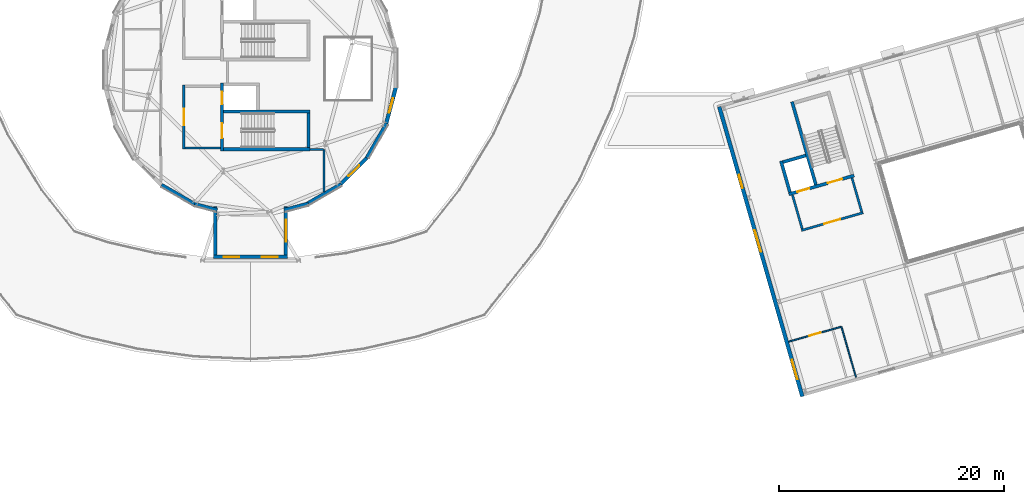
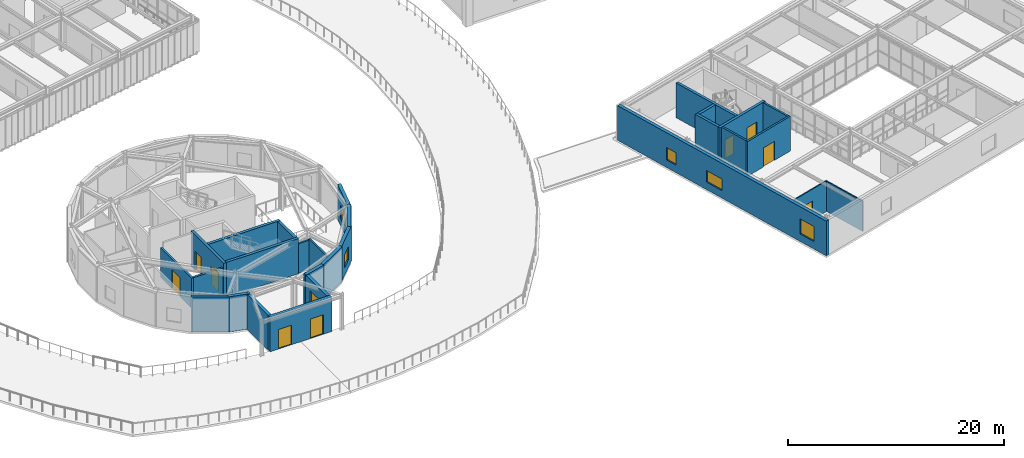
# One storey, part 33 of 59: 28 walls, 9 doors, 6 windows, 15 openings.
"""IFC4 building model written with IfcOpenShell, lengths in metres."""

from ifc_helpers import new_model, si_unit, direction, frame, frame_2d, origin, place, context, subcontext, project, spatial, rectangle, extrude, material, layer, layer_set, type_object, element, fill, save


model = new_model("IFC4")

# Units and contexts
model_context = context("Model", 3, precision=1e-05, world=origin(), true_north=direction((0.0, 1.0)))
body_context = subcontext(model_context, "Body", "Model", "MODEL_VIEW")
ifc_project = project(units=[si_unit("LENGTHUNIT", "METRE"), si_unit("AREAUNIT", "SQUARE_METRE"), si_unit("VOLUMEUNIT", "CUBIC_METRE"), si_unit("PLANEANGLEUNIT", "RADIAN"), si_unit("MASSUNIT", "GRAM", prefix="KILO")], contexts=[model_context])

# Site, building, storey
site_placement = place(None, origin())
site = spatial("IfcSite", under=ifc_project, at=site_placement, CompositionType="ELEMENT")
building_placement = place(site_placement, origin())
building = spatial("IfcBuilding", under=site, at=building_placement, Name="Varnklinge Art Gallery", CompositionType="ELEMENT")
storey_placement = place(building_placement, frame((0.0, 0.0, 9.52001953125)))
storey = spatial("IfcBuildingStorey", under=building, at=storey_placement, Name="L02", CompositionType="ELEMENT", Elevation=9.52001953125)

# Wall
ifc_material_1 = material(Name="Precast concrete C40/50", Category="concrete")
ifc_layer_1 = layer(ifc_material_1, 0.320068359375)
ifc_layer_set_1 = layer_set([ifc_layer_1], Name="Precast concrete C40/50")
wall_type_1 = type_object("IfcWallType", Name="EW-32", PredefinedType="SOLIDWALL", material=ifc_layer_set_1)
wall_1_placement = place(storey_placement, frame((72.360107421875, 21.944580078125, 0.0), z_axis=(0.0, 0.0, 1.0), x_axis=(0.0, 1.0, 0.0)))
element("IfcWall", 1, at=wall_1_placement, inside=storey, type_object=wall_type_1, Name="L02 Gallery Link Wall EW-LNK-V4S-L02-W", PredefinedType="SOLIDWALL", context=body_context, shape_type="SweptSolid", body=[
    extrude(rectangle(XDim=4.31103515625, YDim=0.320068359375, at=frame_2d((2.155517578125, 0.0))), origin(), (0.0, 0.0, 1.0), 3.909912109375),
])

# Wall, opening, window
wall_2_placement = place(storey_placement, frame((78.639892578125, 26.255615234375, 0.0), z_axis=(0.0, 0.0, 1.0), x_axis=(0.0, -1.0, 0.0)))
wall_2 = element("IfcWall", 2, at=wall_2_placement, inside=storey, type_object=wall_type_1, Name="L02 Gallery Link Wall EW-LNK-V4S-L02-E", PredefinedType="SOLIDWALL", context=body_context, shape_type="SweptSolid", body=[
    extrude(rectangle(XDim=4.31103515625, YDim=0.320068359375, at=frame_2d((2.155517578125, 0.0))), origin(), (0.0, 0.0, 1.0), 3.909912109375),
])
opening_1_placement = place(wall_2_placement, frame((1.180419921875, 0.0, 1.1201171875)))
opening_1 = element("IfcOpeningElement", 3, at=opening_1_placement, cuts=wall_2, Name="Opening WN-05", PredefinedType="OPENING", context=body_context, shape_type="SweptSolid", body=[
    extrude(rectangle(XDim=1.949951171875, YDim=1.5, at=frame_2d((0.97509765625, 0.75))), frame((0.0, 0.170166015625, 0.0), z_axis=(0.0, -1.0, 0.0), x_axis=(1.0, 0.0, 0.0)), (0.0, 0.0, 1.0), 0.340087890625),
])
ifc_material_2 = material(Name="Insulated Low-E Triple Glazing", Category="glass")
window_type_1 = type_object("IfcWindowType", Name="WN-05", PartitioningType="SINGLE_PANEL", PredefinedType="WINDOW", material=ifc_material_2)
window_1_placement = place(opening_1_placement, origin())
window_1 = element("IfcWindow", 4, at=window_1_placement, inside=storey, type_object=window_type_1, Name="L02 Window WIN-L02-222", OverallHeight=1.5, OverallWidth=1.949951171875, PartitioningType="SINGLE_PANEL", PredefinedType="WINDOW", context=body_context, shape_type="SweptSolid", body=[
    extrude(rectangle(XDim=1.949951171875, YDim=1.5, at=frame_2d((0.97509765625, 0.75))), frame((0.0, 0.030029296875, 0.0), z_axis=(0.0, -1.0, 0.0), x_axis=(1.0, 0.0, 0.0)), (0.0, 0.0, 1.0), 0.06005859375),
])
fill(opening_1, window_1)

# Wall, openings, doors
wall_3_placement = place(storey_placement, frame((78.800048828125, 21.7646484375, 0.0), z_axis=(0.0, 0.0, 1.0), x_axis=(-1.0, 0.0, 0.0)))
wall_3 = element("IfcWall", 5, at=wall_3_placement, inside=storey, type_object=wall_type_1, Name="EW-LNK-V4S-L02-END", PredefinedType="SOLIDWALL", context=body_context, shape_type="SweptSolid", body=[
    extrude(rectangle(XDim=6.60009765625, YDim=0.320068359375, at=frame_2d((3.300048828125, 0.0))), origin(), (0.0, 0.0, 1.0), 3.909912109375),
])
opening_2_placement = place(wall_3_placement, frame((0.89990234375, 0.0, 0.0)))
opening_2 = element("IfcOpeningElement", 6, at=opening_2_placement, cuts=wall_3, Name="Opening D-L02-E27", PredefinedType="OPENING", context=body_context, shape_type="SweptSolid", body=[
    extrude(rectangle(XDim=1.39990234375, YDim=2.199951171875, at=frame_2d((0.699951171875, 1.10009765625))), frame((0.0, 0.170166015625, 0.0), z_axis=(0.0, -1.0, 0.0), x_axis=(1.0, 0.0, 0.0)), (0.0, 0.0, 1.0), 0.340087890625),
])
opening_3_placement = place(wall_3_placement, frame((4.300048828125, 0.0, 0.0)))
opening_3 = element("IfcOpeningElement", 7, at=opening_3_placement, cuts=wall_3, Name="Opening D-L02-E28", PredefinedType="OPENING", context=body_context, shape_type="SweptSolid", body=[
    extrude(rectangle(XDim=1.39990234375, YDim=2.199951171875, at=frame_2d((0.699951171875, 1.10009765625))), frame((0.0, 0.170166015625, 0.0), z_axis=(0.0, -1.0, 0.0), x_axis=(1.0, 0.0, 0.0)), (0.0, 0.0, 1.0), 0.340087890625),
])
ifc_material_3 = material(Name="Anodised Aluminium", Category="aluminium")
door_type_1 = type_object("IfcDoorType", Name="ED-05", OperationType="SINGLE_SWING_RIGHT", PredefinedType="DOOR", material=ifc_material_3)
door_1_placement = place(opening_2_placement, origin())
door_1 = element("IfcDoor", 8, at=door_1_placement, inside=storey, type_object=door_type_1, Name="L02 East Roof Sculpture Garden Door D-L02-E27", OperationType="SINGLE_SWING_RIGHT", OverallHeight=2.199951171875, OverallWidth=1.39990234375, PredefinedType="DOOR", context=body_context, shape_type="SweptSolid", body=[
    extrude(rectangle(XDim=1.39990234375, YDim=2.199951171875, at=frame_2d((0.699951171875, 1.10009765625))), frame((0.0, 0.02490234375, 0.0), z_axis=(0.0, -1.0, 0.0), x_axis=(1.0, 0.0, 0.0)), (0.0, 0.0, 1.0), 0.050048828125),
])
fill(opening_2, door_1)
door_2_placement = place(opening_3_placement, origin())
door_2 = element("IfcDoor", 9, at=door_2_placement, inside=storey, type_object=door_type_1, Name="L02 West Roof Sculpture Garden Door D-L02-E28", OperationType="SINGLE_SWING_RIGHT", OverallHeight=2.199951171875, OverallWidth=1.39990234375, PredefinedType="DOOR", context=body_context, shape_type="SweptSolid", body=[
    extrude(rectangle(XDim=1.39990234375, YDim=2.199951171875, at=frame_2d((0.699951171875, 1.10009765625))), frame((0.0, 0.02490234375, 0.0), z_axis=(0.0, -1.0, 0.0), x_axis=(1.0, 0.0, 0.0)), (0.0, 0.0, 1.0), 0.050048828125),
])
fill(opening_3, door_2)

# Wall, opening, window
ifc_material_4 = material(Name="Precast concrete C40/50", Category="concrete")
ifc_layer_2 = layer(ifc_material_4, 0.340087890625)
ifc_layer_set_2 = layer_set([ifc_layer_2], Name="Precast concrete C40/50")
wall_type_2 = type_object("IfcWallType", Name="EW-34", PredefinedType="SOLIDWALL", material=ifc_layer_set_2)
wall_4_placement = place(storey_placement, frame((88.461181640625, 36.963623046875, 0.0), z_axis=(0.0, 0.0, 1.0), x_axis=(-0.258828348784, -0.965923333327, 0.0)))
wall_4 = element("IfcWall", 10, at=wall_4_placement, inside=storey, type_object=wall_type_2, Name="L02 Exterior Wall EW-V4D-L02-02", PredefinedType="SOLIDWALL", context=body_context, shape_type="SweptSolid", body=[
    extrude(rectangle(XDim=3.571044921875, YDim=0.340087890625, at=frame_2d((1.78564453125, 0.0))), origin(), (0.0, 0.0, 1.0), 3.9599609375),
])
opening_4_placement = place(wall_4_placement, frame((1.110595703125, 0.0, 0.85009765625)))
opening_4 = element("IfcOpeningElement", 11, at=opening_4_placement, cuts=wall_4, Name="Opening WN-02", PredefinedType="OPENING", context=body_context, shape_type="SweptSolid", body=[
    extrude(rectangle(XDim=1.35009765625, YDim=1.5, at=frame_2d((0.675048828125, 0.75))), frame((0.0, 0.179931640625, 0.0), z_axis=(0.0, -1.0, 0.0), x_axis=(1.0, 0.0, 0.0)), (0.0, 0.0, 1.0), 0.360107421875),
])
ifc_material_5 = material(Name="Insulated Low-E Triple Glazing", Category="glass")
window_type_2 = type_object("IfcWindowType", Name="WN-02", PartitioningType="SINGLE_PANEL", PredefinedType="WINDOW", material=ifc_material_5)
window_2_placement = place(opening_4_placement, origin())
window_2 = element("IfcWindow", 12, at=window_2_placement, inside=storey, type_object=window_type_2, Name="L02 Window WIN-L02-086", OverallHeight=1.5, OverallWidth=1.35009765625, PartitioningType="SINGLE_PANEL", PredefinedType="WINDOW", context=body_context, shape_type="SweptSolid", body=[
    extrude(rectangle(XDim=1.35009765625, YDim=1.5, at=frame_2d((0.675048828125, 0.75))), frame((0.0, 0.030029296875, 0.0), z_axis=(0.0, -1.0, 0.0), x_axis=(1.0, 0.0, 0.0)), (0.0, 0.0, 1.0), 0.06005859375),
])
fill(opening_4, window_2)

# Wall
wall_5_placement = place(storey_placement, frame((87.621826171875, 33.661376953125, 0.0), z_axis=(0.0, 0.0, 1.0), x_axis=(-0.500006500783, -0.866021650523, 0.0)))
element("IfcWall", 13, at=wall_5_placement, inside=storey, type_object=wall_type_2, Name="L02 Exterior Wall EW-V4D-L02-03", PredefinedType="SOLIDWALL", context=body_context, shape_type="SweptSolid", body=[
    extrude(rectangle(XDim=3.5712890625, YDim=0.340087890625, at=frame_2d((1.78564453125, 0.0))), origin(), (0.0, 0.0, 1.0), 3.9599609375),
])

# Wall, opening, window
wall_6_placement = place(storey_placement, frame((85.95654296875, 30.68896484375, 0.0), z_axis=(0.0, 0.0, 1.0), x_axis=(-0.707106781187, -0.707106781187, 0.0)))
wall_6 = element("IfcWall", 14, at=wall_6_placement, inside=storey, type_object=wall_type_2, Name="L02 Exterior Wall EW-V4D-L02-04", PredefinedType="SOLIDWALL", context=body_context, shape_type="SweptSolid", body=[
    extrude(rectangle(XDim=3.571044921875, YDim=0.340087890625, at=frame_2d((1.78564453125, 0.0))), origin(), (0.0, 0.0, 1.0), 3.9599609375),
])
opening_5_placement = place(wall_6_placement, frame((1.110595703125, 0.0, 0.85009765625)))
opening_5 = element("IfcOpeningElement", 15, at=opening_5_placement, cuts=wall_6, Name="Opening WN-02", PredefinedType="OPENING", context=body_context, shape_type="SweptSolid", body=[
    extrude(rectangle(XDim=1.35009765625, YDim=1.5, at=frame_2d((0.675048828125, 0.75))), frame((0.0, 0.179931640625, 0.0), z_axis=(0.0, -1.0, 0.0), x_axis=(1.0, 0.0, 0.0)), (0.0, 0.0, 1.0), 0.360107421875),
])
window_3_placement = place(opening_5_placement, origin())
window_3 = element("IfcWindow", 16, at=window_3_placement, inside=storey, type_object=window_type_2, Name="L02 Window WIN-L02-087", OverallHeight=1.5, OverallWidth=1.35009765625, PartitioningType="SINGLE_PANEL", PredefinedType="WINDOW", context=body_context, shape_type="SweptSolid", body=[
    extrude(rectangle(XDim=1.35009765625, YDim=1.5, at=frame_2d((0.675048828125, 0.75))), frame((0.0, 0.030029296875, 0.0), z_axis=(0.0, -1.0, 0.0), x_axis=(1.0, 0.0, 0.0)), (0.0, 0.0, 1.0), 0.06005859375),
])
fill(opening_5, window_3)

# Walls
wall_7_placement = place(storey_placement, frame((83.57861328125, 28.248779296875, 0.0), z_axis=(0.0, 0.0, 1.0), x_axis=(-0.866021650523, -0.500006500783, 0.0)))
element("IfcWall", 17, at=wall_7_placement, inside=storey, type_object=wall_type_2, Name="L02 Exterior Wall EW-V4D-L02-05", PredefinedType="SOLIDWALL", context=body_context, shape_type="SweptSolid", body=[
    extrude(rectangle(XDim=3.5712890625, YDim=0.340087890625, at=frame_2d((1.78564453125, 0.0))), origin(), (0.0, 0.0, 1.0), 3.9599609375),
])
wall_8_placement = place(storey_placement, frame((80.64990234375, 26.507080078125, 0.0), z_axis=(0.0, 0.0, 1.0), x_axis=(-0.965940290582, -0.258765057592, 0.0)))
element("IfcWall", 18, at=wall_8_placement, inside=storey, type_object=wall_type_2, Name="L02 Exterior Wall EW-V4D-L02-06", PredefinedType="SOLIDWALL", context=body_context, shape_type="SweptSolid", body=[
    extrude(rectangle(XDim=2.246337890625, YDim=0.340087890625, at=frame_2d((1.123046875, 0.0))), origin(), (0.0, 0.0, 1.0), 3.9599609375),
])
wall_9_placement = place(storey_placement, frame((72.52001953125, 25.92578125, 0.0), z_axis=(0.0, 0.0, 1.0), x_axis=(-0.965939655771, 0.258767427258, 0.0)))
element("IfcWall", 19, at=wall_9_placement, inside=storey, type_object=wall_type_2, Name="L02 Exterior Wall EW-V4D-L02-07", PredefinedType="SOLIDWALL", context=body_context, shape_type="SweptSolid", body=[
    extrude(rectangle(XDim=2.07666015625, YDim=0.340087890625, at=frame_2d((1.038330078125, 0.0))), origin(), (0.0, 0.0, 1.0), 3.9599609375),
])
wall_10_placement = place(storey_placement, frame((70.661376953125, 26.378173828125, 0.0), z_axis=(0.0, 0.0, 1.0), x_axis=(-0.866021650523, 0.500006500783, 0.0)))
element("IfcWall", 20, at=wall_10_placement, inside=storey, type_object=wall_type_2, Name="L02 Exterior Wall EW-V4D-L02-08", PredefinedType="SOLIDWALL", context=body_context, shape_type="SweptSolid", body=[
    extrude(rectangle(XDim=3.5712890625, YDim=0.340087890625, at=frame_2d((1.78564453125, 0.0))), origin(), (0.0, 0.0, 1.0), 3.9599609375),
])

# Wall, openings, windows
wall_11_placement = place(storey_placement, frame((124.62060546875, 9.332763671875, 0.0), z_axis=(0.0, 0.0, 1.0), x_axis=(-0.275644006198, 0.961259788947, 0.0)))
wall_11 = element("IfcWall", 21, at=wall_11_placement, inside=storey, type_object=wall_type_2, Name="L02 Exterior Wall EW-V6-L02-01", PredefinedType="SOLIDWALL", context=body_context, shape_type="SweptSolid", body=[
    extrude(rectangle(XDim=26.829833984375, YDim=0.340087890625, at=frame_2d((13.4150390625, 0.0))), origin(), (0.0, 0.0, 1.0), 3.919921875),
])
opening_6_placement = place(wall_11_placement, frame((1.60009765625, 0.0, 0.85009765625)))
opening_6 = element("IfcOpeningElement", 22, at=opening_6_placement, cuts=wall_11, Name="Opening WN-11", PredefinedType="OPENING", context=body_context, shape_type="SweptSolid", body=[
    extrude(rectangle(XDim=1.800048828125, YDim=1.699951171875, at=frame_2d((0.89990234375, 0.85009765625))), frame((0.0, 0.179931640625, 0.0), z_axis=(0.0, -1.0, 0.0), x_axis=(1.0, 0.0, 0.0)), (0.0, 0.0, 1.0), 0.360107421875),
])
opening_7_placement = place(wall_11_placement, frame((13.414794921875, 0.0, 0.85009765625)))
opening_7 = element("IfcOpeningElement", 23, at=opening_7_placement, cuts=wall_11, Name="Opening WN-18", PredefinedType="OPENING", context=body_context, shape_type="SweptSolid", body=[
    extrude(rectangle(XDim=2.0, YDim=1.300048828125, at=frame_2d((1.0, 0.64990234375))), frame((0.0, 0.179931640625, 0.0), z_axis=(0.0, -1.0, 0.0), x_axis=(1.0, 0.0, 0.0)), (0.0, 0.0, 1.0), 0.360107421875),
])
opening_8_placement = place(wall_11_placement, frame((19.322509765625, 0.0, 0.85009765625)))
opening_8 = element("IfcOpeningElement", 24, at=opening_8_placement, cuts=wall_11, Name="Opening WN-21", PredefinedType="OPENING", context=body_context, shape_type="SweptSolid", body=[
    extrude(rectangle(XDim=1.199951171875, YDim=1.39990234375, at=frame_2d((0.60009765625, 0.699951171875))), frame((0.0, 0.179931640625, 0.0), z_axis=(0.0, -1.0, 0.0), x_axis=(1.0, 0.0, 0.0)), (0.0, 0.0, 1.0), 0.360107421875),
])
ifc_material_6 = material(Name="Insulated Low-E Triple Glazing", Category="glass")
window_type_3 = type_object("IfcWindowType", Name="WN-11", PartitioningType="SINGLE_PANEL", PredefinedType="WINDOW", material=ifc_material_6)
window_4_placement = place(opening_6_placement, origin())
window_4 = element("IfcWindow", 25, at=window_4_placement, inside=storey, type_object=window_type_3, Name="L02 Window WIN-L02-174", OverallHeight=1.699951171875, OverallWidth=1.800048828125, PartitioningType="SINGLE_PANEL", PredefinedType="WINDOW", context=body_context, shape_type="SweptSolid", body=[
    extrude(rectangle(XDim=1.800048828125, YDim=1.699951171875, at=frame_2d((0.89990234375, 0.85009765625))), frame((0.0, 0.030029296875, 0.0), z_axis=(0.0, -1.0, 0.0), x_axis=(1.0, 0.0, 0.0)), (0.0, 0.0, 1.0), 0.06005859375),
])
fill(opening_6, window_4)
ifc_material_7 = material(Name="Insulated Low-E Triple Glazing", Category="glass")
window_type_4 = type_object("IfcWindowType", Name="WN-18", PartitioningType="SINGLE_PANEL", PredefinedType="WINDOW", material=ifc_material_7)
window_5_placement = place(opening_7_placement, origin())
window_5 = element("IfcWindow", 26, at=window_5_placement, inside=storey, type_object=window_type_4, Name="L02 Window WIN-L02-175", OverallHeight=1.300048828125, OverallWidth=2.0, PartitioningType="SINGLE_PANEL", PredefinedType="WINDOW", context=body_context, shape_type="SweptSolid", body=[
    extrude(rectangle(XDim=2.0, YDim=1.300048828125, at=frame_2d((1.0, 0.64990234375))), frame((0.0, 0.030029296875, 0.0), z_axis=(0.0, -1.0, 0.0), x_axis=(1.0, 0.0, 0.0)), (0.0, 0.0, 1.0), 0.06005859375),
])
fill(opening_7, window_5)
ifc_material_8 = material(Name="Insulated Low-E Triple Glazing", Category="glass")
window_type_5 = type_object("IfcWindowType", Name="WN-21", PartitioningType="SINGLE_PANEL", PredefinedType="WINDOW", material=ifc_material_8)
window_6_placement = place(opening_8_placement, origin())
window_6 = element("IfcWindow", 27, at=window_6_placement, inside=storey, type_object=window_type_5, Name="L02 Window WIN-L02-176", OverallHeight=1.39990234375, OverallWidth=1.199951171875, PartitioningType="SINGLE_PANEL", PredefinedType="WINDOW", context=body_context, shape_type="SweptSolid", body=[
    extrude(rectangle(XDim=1.199951171875, YDim=1.39990234375, at=frame_2d((0.60009765625, 0.699951171875))), frame((0.0, 0.030029296875, 0.0), z_axis=(0.0, -1.0, 0.0), x_axis=(1.0, 0.0, 0.0)), (0.0, 0.0, 1.0), 0.06005859375),
])
fill(opening_8, window_6)

# Wall, opening, door
ifc_material_9 = material(Name="Gypsum Board Partition", Category="gypsum")
ifc_layer_3 = layer(ifc_material_9, 0.1201171875)
ifc_layer_set_3 = layer_set([ifc_layer_3], Name="Gypsum Board Partition")
wall_type_3 = type_object("IfcWallType", Name="IW-12", PredefinedType="PARTITIONING", material=ifc_layer_set_3)
wall_12_placement = place(storey_placement, frame((123.4013671875, 14.2158203125, 0.0), z_axis=(0.0, 0.0, 1.0), x_axis=(0.961754062565, 0.273914444926, 0.0)))
wall_12 = element("IfcWall", 28, at=wall_12_placement, inside=storey, type_object=wall_type_3, Name="L02 Partition Wall IW-L02-0304", PredefinedType="PARTITIONING", context=body_context, shape_type="SweptSolid", body=[
    extrude(rectangle(XDim=4.877197265625, YDim=0.1201171875, at=frame_2d((2.4384765625, 0.0))), origin(), (0.0, 0.0, 1.0), 3.4599609375),
])
opening_9_placement = place(wall_12_placement, frame((1.9287109375, 0.0, 0.0)))
opening_9 = element("IfcOpeningElement", 29, at=opening_9_placement, cuts=wall_12, Name="Opening D-L02-242", PredefinedType="OPENING", context=body_context, shape_type="SweptSolid", body=[
    extrude(rectangle(XDim=1.02001953125, YDim=2.1201171875, at=frame_2d((0.510009765625, 1.06005859375))), frame((0.0, 0.070068359375, 0.0), z_axis=(0.0, -1.0, 0.0), x_axis=(1.0, 0.0, 0.0)), (0.0, 0.0, 1.0), 0.14013671875),
])
ifc_material_10 = material(Name="Oak Timber Leaf", Category="wood")
door_type_2 = type_object("IfcDoorType", Name="ID-03", OperationType="SINGLE_SWING_LEFT", PredefinedType="DOOR", material=ifc_material_10)
door_3_placement = place(opening_9_placement, origin())
door_3 = element("IfcDoor", 30, at=door_3_placement, inside=storey, type_object=door_type_2, Name="L02 L02 Accessible WC Studios Door D-L02-242", OperationType="SINGLE_SWING_RIGHT", OverallHeight=2.1201171875, OverallWidth=1.02001953125, PredefinedType="DOOR", context=body_context, shape_type="SweptSolid", body=[
    extrude(rectangle(XDim=1.02001953125, YDim=2.1201171875, at=frame_2d((0.510009765625, 1.06005859375))), frame((0.0, 0.02490234375, 0.0), z_axis=(0.0, -1.0, 0.0), x_axis=(1.0, 0.0, 0.0)), (0.0, 0.0, 1.0), 0.050048828125),
])
fill(opening_9, door_3)

# Walls
wall_13_placement = place(storey_placement, frame((128.092041015625, 15.5517578125, 0.0), z_axis=(0.0, 0.0, 1.0), x_axis=(0.277429379743, -0.960746032652, 0.0)))
element("IfcWall", 31, at=wall_13_placement, inside=storey, type_object=wall_type_3, Name="L02 Partition Wall IW-L02-0305", PredefinedType="PARTITIONING", context=body_context, shape_type="SweptSolid", body=[
    extrude(rectangle(XDim=4.67724609375, YDim=0.1201171875, at=frame_2d((2.338623046875, 0.0))), origin(), (0.0, 0.0, 1.0), 3.409912109375),
])
ifc_material_11 = material(Name="Gypsum Board Partition", Category="gypsum")
ifc_layer_4 = layer(ifc_material_11, 0.179931640625)
ifc_layer_set_4 = layer_set([ifc_layer_4], Name="Gypsum Board Partition")
wall_type_4 = type_object("IfcWallType", Name="IW-18", PredefinedType="PARTITIONING", material=ifc_layer_set_4)
wall_14_placement = place(storey_placement, frame((80.800048828125, 31.330078125, 0.0), z_axis=(0.0, 0.0, 1.0), x_axis=(1.0, 0.0, 0.0)))
element("IfcWall", 32, at=wall_14_placement, inside=storey, type_object=wall_type_4, Name="L02 Partition Wall IW-L02-0293", PredefinedType="PARTITIONING", context=body_context, shape_type="SweptSolid", body=[
    extrude(rectangle(XDim=1.199951171875, YDim=0.179931640625, at=frame_2d((0.60009765625, 0.0))), origin(), (0.0, 0.0, 1.0), 3.35009765625),
])
wall_15_placement = place(storey_placement, frame((82.02880859375, 31.30859375, 0.0), z_axis=(0.0, 0.0, 1.0), x_axis=(0.000325266702, -0.999999947101, 0.0)))
element("IfcWall", 33, at=wall_15_placement, inside=storey, type_object=wall_type_4, Name="L02 Partition Wall IW-L02-0294", PredefinedType="PARTITIONING", context=body_context, shape_type="SweptSolid", body=[
    extrude(rectangle(XDim=3.7529296875, YDim=0.179931640625, at=frame_2d((1.87646484375, 0.0))), origin(), (0.0, 0.0, 1.0), 3.5),
])
ifc_material_12 = material(Name="Concrete C40/50", Category="concrete")
ifc_layer_5 = layer(ifc_material_12, 0.199951171875)
ifc_layer_set_5 = layer_set([ifc_layer_5], Name="Concrete C40/50")
wall_type_5 = type_object("IfcWallType", Name="IW-20", PredefinedType="PARTITIONING", material=ifc_layer_set_5)
wall_16_placement = place(storey_placement, frame((69.64990234375, 31.449951171875, 0.0), z_axis=(0.0, 0.0, 1.0), x_axis=(1.0, 0.0, 0.0)))
element("IfcWall", 34, at=wall_16_placement, inside=storey, type_object=wall_type_5, Name="L02 Core C1 Lobby South Wall", PredefinedType="PARTITIONING", context=body_context, shape_type="SweptSolid", body=[
    extrude(rectangle(XDim=3.150146484375, YDim=0.199951171875, at=frame_2d((1.5751953125, 0.0))), origin(), (0.0, 0.0, 1.0), 3.35009765625),
])

# Wall, opening, door
wall_17_placement = place(storey_placement, frame((69.550048828125, 31.35009765625, 0.0), z_axis=(0.0, 0.0, 1.0), x_axis=(0.0, 1.0, 0.0)))
wall_17 = element("IfcWall", 35, at=wall_17_placement, inside=storey, type_object=wall_type_5, Name="L02 Core C1 Lobby Corridor Wall", PredefinedType="PARTITIONING", context=body_context, shape_type="SweptSolid", body=[
    extrude(rectangle(XDim=5.7099609375, YDim=0.199951171875, at=frame_2d((2.85498046875, 0.0))), origin(), (0.0, 0.0, 1.0), 3.35009765625),
])
opening_10_placement = place(wall_17_placement, frame((2.114990234375, 0.0, 0.0)))
opening_10 = element("IfcOpeningElement", 36, at=opening_10_placement, cuts=wall_17, Name="Opening D-L02-012", PredefinedType="OPENING", context=body_context, shape_type="SweptSolid", body=[
    extrude(rectangle(XDim=1.47998046875, YDim=2.14990234375, at=frame_2d((0.739990234375, 1.074951171875))), frame((0.0, 0.110107421875, 0.0), z_axis=(0.0, -1.0, 0.0), x_axis=(1.0, 0.0, 0.0)), (0.0, 0.0, 1.0), 0.219970703125),
])
ifc_material_13 = material(Name="Galvanised Fire-Rated Steel", Category="steel")
door_type_3 = type_object("IfcDoorType", Name="ID-LB1", OperationType="DOUBLE_DOOR_SINGLE_SWING", PredefinedType="DOOR", material=ifc_material_13)
door_4_placement = place(opening_10_placement, origin())
door_4 = element("IfcDoor", 37, at=door_4_placement, inside=storey, type_object=door_type_3, Name="L02 Core C1 Protected Lobby Door D-L02-012", OperationType="DOUBLE_DOOR_SINGLE_SWING", OverallHeight=2.14990234375, OverallWidth=1.47998046875, PredefinedType="DOOR", context=body_context, shape_type="SweptSolid", body=[
    extrude(rectangle(XDim=1.47998046875, YDim=2.14990234375, at=frame_2d((0.739990234375, 1.074951171875))), frame((0.0, 0.02490234375, 0.0), z_axis=(0.0, -1.0, 0.0), x_axis=(1.0, 0.0, 0.0)), (0.0, 0.0, 1.0), 0.050048828125),
])
fill(opening_10, door_4)

# Walls
for number, where, z_axis, x_axis, name in (
    (38, (129.902587890625, 25.767578125, 0.0), (0.0, 0.0, 1.0), (-0.275601331974, 0.961272024879, 0.0), "L02 Core C5 Lobby South Wall"),
    (39, (123.73779296875, 27.27685546875, 0.0), (0.0, 0.0, 1.0), (0.275672946026, -0.961251489897, 0.0), "L02 Core C5 Lobby North Wall"),
):
    element("IfcWall", number, at=place(storey_placement, frame(where, z_axis=z_axis, x_axis=x_axis)), inside=storey, type_object=wall_type_5, Name=name, PredefinedType="PARTITIONING", context=body_context, shape_type="SweptSolid", body=[
        extrude(rectangle(XDim=3.150146484375, YDim=0.199951171875, at=frame_2d((1.5751953125, 0.0))), origin(), (0.0, 0.0, 1.0), 3.919921875),
    ])

# Wall, opening, door
wall_18_placement = place(storey_placement, frame((130.0263671875, 25.69921875, 0.0), z_axis=(0.0, 0.0, 1.0), x_axis=(-0.961257274888, -0.275652773383, 0.0)))
wall_18 = element("IfcWall", 40, at=wall_18_placement, inside=storey, type_object=wall_type_5, Name="L02 Core C5 Lobby Corridor Wall", PredefinedType="PARTITIONING", context=body_context, shape_type="SweptSolid", body=[
    extrude(rectangle(XDim=5.7099609375, YDim=0.199951171875, at=frame_2d((2.85498046875, 0.0))), origin(), (0.0, 0.0, 1.0), 3.919921875),
])
opening_11_placement = place(wall_18_placement, frame((2.114990234375, 0.0, 0.0)))
opening_11 = element("IfcOpeningElement", 41, at=opening_11_placement, cuts=wall_18, Name="Opening D-L02-081", PredefinedType="OPENING", context=body_context, shape_type="SweptSolid", body=[
    extrude(rectangle(XDim=1.47998046875, YDim=2.14990234375, at=frame_2d((0.739990234375, 1.074951171875))), frame((0.0, 0.110107421875, 0.0), z_axis=(0.0, -1.0, 0.0), x_axis=(1.0, 0.0, 0.0)), (0.0, 0.0, 1.0), 0.219970703125),
])
door_5_placement = place(opening_11_placement, origin())
door_5 = element("IfcDoor", 42, at=door_5_placement, inside=storey, type_object=door_type_3, Name="L02 Core C5 Protected Lobby Door D-L02-081", OperationType="DOUBLE_DOOR_SINGLE_SWING", OverallHeight=2.14990234375, OverallWidth=1.47998046875, PredefinedType="DOOR", context=body_context, shape_type="SweptSolid", body=[
    extrude(rectangle(XDim=1.47998046875, YDim=2.14990234375, at=frame_2d((0.739990234375, 1.074951171875))), frame((0.0, 0.02490234375, 0.0), z_axis=(0.0, -1.0, 0.0), x_axis=(1.0, 0.0, 0.0)), (0.0, 0.0, 1.0), 0.050048828125),
])
fill(opening_11, door_5)

# Walls
ifc_material_14 = material(Name="Concrete C40/50", Category="concrete")
ifc_layer_6 = layer(ifc_material_14, 0.280029296875)
ifc_layer_set_6 = layer_set([ifc_layer_6], Name="Concrete C40/50")
wall_type_6 = type_object("IfcWallType", Name="SW-28", PredefinedType="SHEAR", material=ifc_layer_set_6)
wall_19_placement = place(storey_placement, frame((123.6982421875, 35.57763671875, 0.0), z_axis=(0.0, 0.0, 1.0), x_axis=(0.275650638876, -0.961257886983, 0.0)))
element("IfcWall", 43, at=wall_19_placement, inside=storey, type_object=wall_type_6, Name="L02 Core C5 Dividing Shear Wall", PredefinedType="SHEAR", context=body_context, shape_type="SweptSolid", body=[
    extrude(rectangle(XDim=7.7001953125, YDim=0.280029296875, at=frame_2d((3.85009765625, 0.0))), origin(), (0.0, 0.0, 1.0), 3.919921875),
])
wall_20_placement = place(storey_placement, frame((124.92529296875, 30.790283203125, 0.0), z_axis=(0.0, 0.0, 1.0), x_axis=(-0.96127584502, -0.275588007324, 0.0)))
element("IfcWall", 44, at=wall_20_placement, inside=storey, type_object=wall_type_6, Name="L02 Core C5 Lift East Shear Wall", PredefinedType="SHEAR", context=body_context, shape_type="SweptSolid", body=[
    extrude(rectangle(XDim=2.119873046875, YDim=0.280029296875, at=frame_2d((1.06005859375, 0.0))), origin(), (0.0, 0.0, 1.0), 3.919921875),
])
wall_21_placement = place(storey_placement, frame((122.71435546875, 30.302001953125, 0.0), z_axis=(0.0, 0.0, 1.0), x_axis=(0.275632780503, -0.961263007877, 0.0)))
element("IfcWall", 45, at=wall_21_placement, inside=storey, type_object=wall_type_6, Name="L02 Core C5 Lift North Shear Wall", PredefinedType="SHEAR", context=body_context, shape_type="SweptSolid", body=[
    extrude(rectangle(XDim=2.89990234375, YDim=0.280029296875, at=frame_2d((1.449951171875, 0.0))), origin(), (0.0, 0.0, 1.0), 3.919921875),
])

# Wall, openings, doors
wall_22_placement = place(storey_placement, frame((123.417724609375, 27.341064453125, 0.0), z_axis=(0.0, 0.0, 1.0), x_axis=(0.961255042521, 0.275660557985, 0.0)))
wall_22 = element("IfcWall", 46, at=wall_22_placement, inside=storey, type_object=wall_type_6, Name="L02 Core C5 Front Shear Wall", PredefinedType="SHEAR", context=body_context, shape_type="SweptSolid", body=[
    extrude(rectangle(XDim=6.040283203125, YDim=0.280029296875, at=frame_2d((3.02001953125, 0.0))), origin(), (0.0, 0.0, 1.0), 3.919921875),
])
opening_12_placement = place(wall_22_placement, frame((0.800048828125, 0.0, 0.0)))
opening_12 = element("IfcOpeningElement", 47, at=opening_12_placement, cuts=wall_22, Name="Opening LD-L02-079", PredefinedType="OPENING", context=body_context, shape_type="SweptSolid", body=[
    extrude(rectangle(XDim=1.10009765625, YDim=2.1201171875, at=frame_2d((0.550048828125, 1.06005859375))), frame((0.0, 0.150146484375, 0.0), z_axis=(0.0, -1.0, 0.0), x_axis=(1.0, 0.0, 0.0)), (0.0, 0.0, 1.0), 0.300048828125),
])
opening_13_placement = place(wall_22_placement, frame((3.60009765625, 0.0, 0.0)))
opening_13 = element("IfcOpeningElement", 48, at=opening_13_placement, cuts=wall_22, Name="Opening D-L02-080", PredefinedType="OPENING", context=body_context, shape_type="SweptSolid", body=[
    extrude(rectangle(XDim=1.320068359375, YDim=2.1201171875, at=frame_2d((0.66015625, 1.06005859375))), frame((0.0, 0.150146484375, 0.0), z_axis=(0.0, -1.0, 0.0), x_axis=(1.0, 0.0, 0.0)), (0.0, 0.0, 1.0), 0.300048828125),
])
ifc_material_15 = material(Name="Galvanised Fire-Rated Steel", Category="steel")
door_type_4 = type_object("IfcDoorType", Name="ID-ST1", OperationType="SINGLE_SWING_LEFT", PredefinedType="DOOR", material=ifc_material_15)
door_6_placement = place(opening_13_placement, origin())
door_6 = element("IfcDoor", 49, at=door_6_placement, inside=storey, type_object=door_type_4, Name="L02 Stair ST-05 Fire Door D-L02-080", OperationType="SINGLE_SWING_RIGHT", OverallHeight=2.1201171875, OverallWidth=1.320068359375, PredefinedType="DOOR", context=body_context, shape_type="SweptSolid", body=[
    extrude(rectangle(XDim=1.320068359375, YDim=2.1201171875, at=frame_2d((0.66015625, 1.06005859375))), frame((0.0, 0.02490234375, 0.0), z_axis=(0.0, -1.0, 0.0), x_axis=(1.0, 0.0, 0.0)), (0.0, 0.0, 1.0), 0.050048828125),
])
fill(opening_13, door_6)
ifc_material_16 = material(Name="Anodised Aluminium", Category="aluminium")
door_type_5 = type_object("IfcDoorType", Name="LD-PAX", OperationType="SLIDING_TO_LEFT", PredefinedType="DOOR", material=ifc_material_16)
door_7_placement = place(opening_12_placement, origin())
door_7 = element("IfcDoor", 50, at=door_7_placement, inside=storey, type_object=door_type_5, Name="L02 LF-04 Sliding Landing Door LD-L02-079", OperationType="SLIDING_TO_LEFT", OverallHeight=2.1201171875, OverallWidth=1.10009765625, PredefinedType="DOOR", context=body_context, shape_type="SweptSolid", body=[
    extrude(rectangle(XDim=1.10009765625, YDim=2.1201171875, at=frame_2d((0.550048828125, 1.06005859375))), frame((0.0, 0.02490234375, 0.0), z_axis=(0.0, -1.0, 0.0), x_axis=(1.0, 0.0, 0.0)), (0.0, 0.0, 1.0), 0.050048828125),
])
fill(opening_12, door_7)

# Walls
ifc_material_17 = material(Name="Concrete C40/50", Category="concrete")
ifc_layer_7 = layer(ifc_material_17, 0.300048828125)
ifc_layer_set_7 = layer_set([ifc_layer_7], Name="Concrete C40/50")
wall_type_7 = type_object("IfcWallType", Name="SW-30", PredefinedType="SHEAR", material=ifc_layer_set_7)
wall_23_placement = place(storey_placement, frame((73.10009765625, 31.35009765625, 0.0), z_axis=(0.0, 0.0, 1.0), x_axis=(1.0, 0.0, 0.0)))
element("IfcWall", 51, at=wall_23_placement, inside=storey, type_object=wall_type_7, Name="L02 Core C1 South Shear Wall", PredefinedType="SHEAR", context=body_context, shape_type="SweptSolid", body=[
    extrude(rectangle(XDim=7.699951171875, YDim=0.300048828125, at=frame_2d((3.85009765625, 0.0))), origin(), (0.0, 0.0, 1.0), 3.9599609375),
])
wall_24_placement = place(storey_placement, frame((80.64990234375, 31.5, 0.0), z_axis=(0.0, 0.0, 1.0), x_axis=(0.0, 1.0, 0.0)))
element("IfcWall", 52, at=wall_24_placement, inside=storey, type_object=wall_type_7, Name="L02 Core C1 East Shear Wall", PredefinedType="SHEAR", context=body_context, shape_type="SweptSolid", body=[
    extrude(rectangle(XDim=3.06005859375, YDim=0.300048828125, at=frame_2d((1.530029296875, 0.0))), origin(), (0.0, 0.0, 1.0), 3.9599609375),
])
wall_25_placement = place(storey_placement, frame((80.800048828125, 34.7099609375, 0.0), z_axis=(0.0, 0.0, 1.0), x_axis=(-1.0, 0.0, 0.0)))
element("IfcWall", 53, at=wall_25_placement, inside=storey, type_object=wall_type_7, Name="L02 Core C1 Dividing Shear Wall", PredefinedType="SHEAR", context=body_context, shape_type="SweptSolid", body=[
    extrude(rectangle(XDim=7.699951171875, YDim=0.300048828125, at=frame_2d((3.85009765625, 0.0))), origin(), (0.0, 0.0, 1.0), 3.9599609375),
])

# Wall, openings, doors
wall_26_placement = place(storey_placement, frame((72.949951171875, 37.260009765625, 0.0), z_axis=(0.0, 0.0, 1.0), x_axis=(0.0, -1.0, 0.0)))
wall_26 = element("IfcWall", 54, at=wall_26_placement, inside=storey, type_object=wall_type_7, Name="L02 Core C1 Front Shear Wall", PredefinedType="SHEAR", context=body_context, shape_type="SweptSolid", body=[
    extrude(rectangle(XDim=6.06005859375, YDim=0.300048828125, at=frame_2d((3.030029296875, 0.0))), origin(), (0.0, 0.0, 1.0), 3.9599609375),
])
opening_14_placement = place(wall_26_placement, frame((0.800048828125, 0.0, 0.0)))
opening_14 = element("IfcOpeningElement", 55, at=opening_14_placement, cuts=wall_26, Name="Opening LD-L02-010", PredefinedType="OPENING", context=body_context, shape_type="SweptSolid", body=[
    extrude(rectangle(XDim=1.10009765625, YDim=2.1201171875, at=frame_2d((0.550048828125, 1.06005859375))), frame((0.0, 0.159912109375, 0.0), z_axis=(0.0, -1.0, 0.0), x_axis=(1.0, 0.0, 0.0)), (0.0, 0.0, 1.0), 0.320068359375),
])
opening_15_placement = place(wall_26_placement, frame((3.60009765625, 0.0, 0.0)))
opening_15 = element("IfcOpeningElement", 56, at=opening_15_placement, cuts=wall_26, Name="Opening D-L02-011", PredefinedType="OPENING", context=body_context, shape_type="SweptSolid", body=[
    extrude(rectangle(XDim=1.320068359375, YDim=2.1201171875, at=frame_2d((0.66015625, 1.06005859375))), frame((0.0, 0.159912109375, 0.0), z_axis=(0.0, -1.0, 0.0), x_axis=(1.0, 0.0, 0.0)), (0.0, 0.0, 1.0), 0.320068359375),
])
door_8_placement = place(opening_15_placement, origin())
door_8 = element("IfcDoor", 57, at=door_8_placement, inside=storey, type_object=door_type_4, Name="L02 Stair ST-01 Fire Door D-L02-011", OperationType="SINGLE_SWING_RIGHT", OverallHeight=2.1201171875, OverallWidth=1.320068359375, PredefinedType="DOOR", context=body_context, shape_type="SweptSolid", body=[
    extrude(rectangle(XDim=1.320068359375, YDim=2.1201171875, at=frame_2d((0.66015625, 1.06005859375))), frame((0.0, 0.02490234375, 0.0), z_axis=(0.0, -1.0, 0.0), x_axis=(1.0, 0.0, 0.0)), (0.0, 0.0, 1.0), 0.050048828125),
])
fill(opening_15, door_8)
door_9_placement = place(opening_14_placement, origin())
door_9 = element("IfcDoor", 58, at=door_9_placement, inside=storey, type_object=door_type_5, Name="L02 LF-01 Sliding Landing Door LD-L02-010", OperationType="SLIDING_TO_LEFT", OverallHeight=2.1201171875, OverallWidth=1.10009765625, PredefinedType="DOOR", context=body_context, shape_type="SweptSolid", body=[
    extrude(rectangle(XDim=1.10009765625, YDim=2.1201171875, at=frame_2d((0.550048828125, 1.06005859375))), frame((0.0, 0.02490234375, 0.0), z_axis=(0.0, -1.0, 0.0), x_axis=(1.0, 0.0, 0.0)), (0.0, 0.0, 1.0), 0.050048828125),
])
fill(opening_14, door_9)

save(model, "model.ifc")
